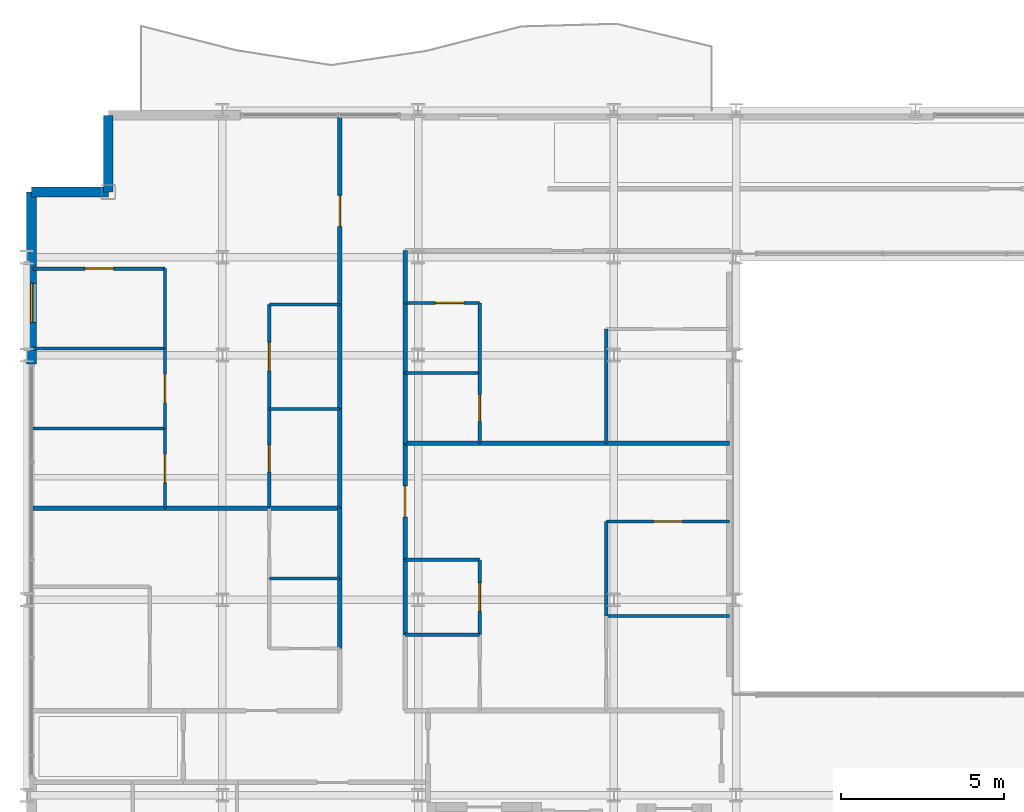
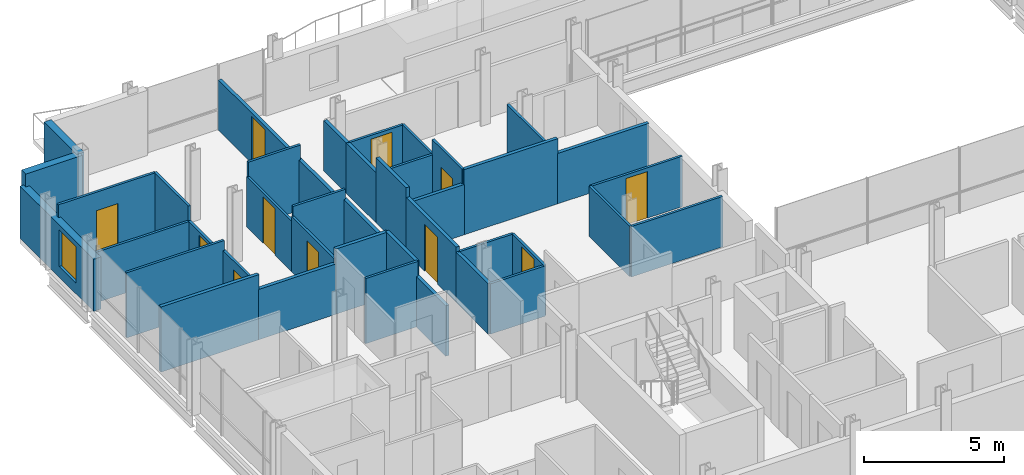
# One storey, part 33 of 40: 41 walls, 11 doors, 1 window, 12 openings.
"""IFC4 building model written with IfcOpenShell, lengths in metres."""

import ifcopenshell
import ifcopenshell.guid

model = None  # the IFC model being written
_history = None  # IfcOwnerHistory: only IFC2X3 demands one
_inside = {}  # id of a spatial element -> (the spatial element, [elements in it])
_under = {}  # id of a project, library or spatial element -> (it, [spatial elements below it])
_declared = {}  # id of a project -> (the project, [libraries it declares])
_typed = {}  # id of a type object -> (the type object, [elements of that type])
_made_of = {}  # id of a material, layer set ... -> (it, [elements and type objects made of it])


def new_model(schema):
    """Start an empty IFC model of exactly this schema.

    Asked for "IFC4X3", IfcOpenShell would pick the latest addendum, in which some entities
    have other attributes; the version numbers below select the first issue.
    IFC2X3 requires an IfcOwnerHistory on every rooted entity: one is made here for all.
    """
    global model, _history
    if schema == "IFC4X3":
        model = ifcopenshell.file(schema_version=(4, 3, 0, 0))
    else:
        model = ifcopenshell.file(schema=schema)
    _inside.clear()
    _under.clear()
    _declared.clear()
    _typed.clear()
    _made_of.clear()
    _history = None
    if model.schema == "IFC2X3":
        org = make("IfcOrganization", Name="unknown")
        user = make(
            "IfcPersonAndOrganization",
            ThePerson=make("IfcPerson", FamilyName="unknown"),
            TheOrganization=org,
        )
        app = make(
            "IfcApplication",
            ApplicationDeveloper=org,
            Version="unknown",
            ApplicationFullName="unknown",
            ApplicationIdentifier="unknown",
        )
        _history = make(
            "IfcOwnerHistory",
            OwningUser=user,
            OwningApplication=app,
            ChangeAction="ADDED",
            CreationDate=0,
        )
    return model


def make(cls, **values):
    """One entity of the class cls with the attributes given. An attribute that is None is left unset."""
    return model.create_entity(
        cls, **{name: value for name, value in values.items() if value is not None}
    )


def rooted(cls, **values):
    """An entity with a GlobalId (a new one), such as an element, a storey or a relation."""
    return make(cls, GlobalId=ifcopenshell.guid.new(), OwnerHistory=_history, **values)


def si_unit(unit_type, name, prefix=None):
    """IfcSIUnit, for example si_unit("LENGTHUNIT", "METRE", prefix="MILLI")."""
    return make("IfcSIUnit", UnitType=unit_type, Prefix=prefix, Name=name)


def assignment(units):
    """IfcUnitAssignment: the units of a project."""
    return None if units is None else make("IfcUnitAssignment", Units=units)


def point(xyz):
    """IfcCartesianPoint."""
    return None if xyz is None else make("IfcCartesianPoint", Coordinates=xyz)


def direction(xyz):
    """IfcDirection."""
    return None if xyz is None else make("IfcDirection", DirectionRatios=xyz)


def frame(location, z_axis=None, x_axis=None):
    """IfcAxis2Placement3D, a coordinate frame: its origin and axes. An axis left out is left unset."""
    return make(
        "IfcAxis2Placement3D",
        Location=point(location),
        Axis=direction(z_axis),
        RefDirection=direction(x_axis),
    )


def frame_2d(location, x_axis=None):
    """IfcAxis2Placement2D, a coordinate frame in the plane: its origin and x axis."""
    return make(
        "IfcAxis2Placement2D", Location=point(location), RefDirection=direction(x_axis)
    )


def origin():
    """The frame at (0, 0, 0) with its axes left unset."""
    return frame((0.0, 0.0, 0.0))


def place(relative_to, where):
    """IfcLocalPlacement: puts the frame where relative to a parent placement (None: the world)."""
    return make(
        "IfcLocalPlacement", PlacementRelTo=relative_to, RelativePlacement=where
    )


def context(
    kind, dimensions, precision=None, world=None, true_north=None, identifier=None
):
    """IfcGeometricRepresentationContext, for example the 3D "Model" context."""
    return make(
        "IfcGeometricRepresentationContext",
        ContextIdentifier=identifier,
        ContextType=kind,
        CoordinateSpaceDimension=dimensions,
        Precision=precision,
        WorldCoordinateSystem=world,
        TrueNorth=true_north,
    )


def subcontext(parent, identifier, kind, view, scale=None):
    """IfcGeometricRepresentationSubContext, for example "Body" below "Model"."""
    return make(
        "IfcGeometricRepresentationSubContext",
        ContextIdentifier=identifier,
        ContextType=kind,
        ParentContext=parent,
        TargetScale=scale,
        TargetView=view,
    )


def project(units=None, contexts=None):
    """IfcProject with its units and contexts."""
    return rooted(
        "IfcProject",
        Name="project",
        RepresentationContexts=contexts,
        UnitsInContext=assignment(units),
    )


def spatial(cls, under=None, at=None, **own):
    """A site, building, storey or space (cls), placed at a placement, below another one or the project."""
    s = rooted(cls, ObjectPlacement=at, **own)
    if under is not None:
        _under.setdefault(under.id(), (under, []))[1].append(s)
    return s


def profile(cls, at=None, kind="AREA", **sizes):
    """A parametric profile (cls). Its sizes go by their IFC names, for example OverallWidth=200.0."""
    return make(cls, ProfileType=kind, Position=at, **sizes)


def rectangle(**sizes):
    """IfcRectangleProfileDef."""
    return profile("IfcRectangleProfileDef", **sizes)


def extrude(swept, where, along, depth):
    """IfcExtrudedAreaSolid: the profile swept, set in the frame where, extruded along a direction by depth."""
    return make(
        "IfcExtrudedAreaSolid",
        SweptArea=swept,
        Position=where,
        ExtrudedDirection=direction(along),
        Depth=depth,
    )


def shape(context_of_items, identifier, shape_type, items):
    """IfcShapeRepresentation: the items that make up one representation, for example the "Body"."""
    return make(
        "IfcShapeRepresentation",
        ContextOfItems=context_of_items,
        RepresentationIdentifier=identifier,
        RepresentationType=shape_type,
        Items=items,
    )


def material(Name=None, Category=None):
    """IfcMaterial."""
    return make("IfcMaterial", Name=Name, Category=Category)


def layer(
    of_material, thickness, ventilated=None, Name=None, Category=None, Priority=None
):
    """IfcMaterialLayer: one layer of a wall or slab, of a material (None: an air gap)."""
    return make(
        "IfcMaterialLayer",
        Material=of_material,
        LayerThickness=thickness,
        IsVentilated=ventilated,
        Name=Name,
        Category=Category,
        Priority=Priority,
    )


def layer_set(layers, Name=None):
    """IfcMaterialLayerSet."""
    return make("IfcMaterialLayerSet", MaterialLayers=layers, LayerSetName=Name)


def made_of(thing, what):
    """Note that an element or type object is made of a material, layer set ...; save() writes the relation."""
    if what is not None:
        _made_of.setdefault(what.id(), (what, []))[1].append(thing)
    return thing


def type_object(cls, material=None, **own):
    """A type object (cls), such as IfcWallType, which elements share."""
    return made_of(rooted(cls, **own), material)


def element(
    cls,
    number,
    at=None,
    inside=None,
    cuts=None,
    type_object=None,
    material=None,
    context=None,
    identifier="Body",
    shape_type=None,
    held_by="IfcProductDefinitionShape",
    body=None,
    shapes=None,
    **own,
):
    """One element of the class cls, such as IfcWall. Its Tag is "e" and its number.

    at: its placement. inside: the storey or other place that contains it. cuts: it is an
    opening in that element (IfcRelVoidsElement). A single representation is given by context,
    identifier, shape_type and body (its items); several are given by shapes. held_by: the class
    of the entity that holds the representations. save() writes the other relations.
    """
    e = rooted(cls, Tag="e%d" % number, ObjectPlacement=at, **own)
    if body is not None:
        shapes = [shape(context, identifier, shape_type, body)]
    if shapes is not None:
        e.Representation = make(held_by, Representations=shapes)
    if inside is not None:
        _inside.setdefault(inside.id(), (inside, []))[1].append(e)
    if cuts is not None:
        rooted(
            "IfcRelVoidsElement", RelatingBuildingElement=cuts, RelatedOpeningElement=e
        )
    if type_object is not None:
        _typed.setdefault(type_object.id(), (type_object, []))[1].append(e)
    return made_of(e, material)


def fill(opening, filler):
    """IfcRelFillsElement: the door or window that sits in an opening."""
    return rooted(
        "IfcRelFillsElement",
        RelatingOpeningElement=opening,
        RelatedBuildingElement=filler,
    )


def aggregate(whole, parts):
    """IfcRelAggregates: a whole, such as a stair, and the parts it consists of."""
    return rooted("IfcRelAggregates", RelatingObject=whole, RelatedObjects=parts)


def save(model, path):
    """Write the relations noted so far, then the file.

    IfcRelAggregates (storeys below a building ...), IfcRelContainedInSpatialStructure (elements
    in a storey), IfcRelDefinesByType, IfcRelAssociatesMaterial and IfcRelDeclares: one each for
    every whole, place, type object, material and project.
    """
    for whole, parts in _under.values():
        aggregate(whole, parts)
    for where, things in _inside.values():
        rooted(
            "IfcRelContainedInSpatialStructure",
            RelatedElements=things,
            RelatingStructure=where,
        )
    for kind, things in _typed.values():
        rooted("IfcRelDefinesByType", RelatedObjects=things, RelatingType=kind)
    for what, things in _made_of.values():
        rooted("IfcRelAssociatesMaterial", RelatedObjects=things, RelatingMaterial=what)
    for by, libraries in _declared.values():
        rooted("IfcRelDeclares", RelatingContext=by, RelatedDefinitions=libraries)
    model.write(path)


model = new_model("IFC4")

# Units and contexts
model_context = context("Model", 3, precision=1e-05, world=origin(), true_north=direction((0.0, 1.0)))
body_context = subcontext(model_context, "Body", "Model", "MODEL_VIEW")
ifc_project = project(units=[si_unit("LENGTHUNIT", "METRE"), si_unit("AREAUNIT", "SQUARE_METRE"), si_unit("VOLUMEUNIT", "CUBIC_METRE"), si_unit("PLANEANGLEUNIT", "RADIAN"), si_unit("MASSUNIT", "GRAM", prefix="KILO")], contexts=[model_context])

# Site, building, storey
site_placement = place(None, origin())
site = spatial("IfcSite", under=ifc_project, at=site_placement, CompositionType="ELEMENT")
building_placement = place(site_placement, origin())
building = spatial("IfcBuilding", under=site, at=building_placement, Name="Brevholm Reach", CompositionType="ELEMENT")
storey_placement = place(building_placement, frame((0.0, 0.0, 131.39990234375)))
storey = spatial("IfcBuildingStorey", under=building, at=storey_placement, Name="L39", CompositionType="ELEMENT", Elevation=131.39990234375)

# Walls
ifc_material_1 = material(Name="Concrete C40/50", Category="concrete")
ifc_layer_1 = layer(ifc_material_1, 0.300048828125)
ifc_layer_set_1 = layer_set([ifc_layer_1], Name="Concrete C40/50")
wall_type_1 = type_object("IfcWallType", Name="WAL-EXT-300", PredefinedType="STANDARD", material=ifc_layer_set_1)
for number, where, z_axis, x_axis, name in (
    (1, (2.5, 30.85009765625, 0.0), (0.0, 0.0, 1.0), (0.0, -1.0, 0.0), "L39 Facade Wall WAL-L39-CNW1"),
    (2, (2.5, 28.5, 0.0), (0.0, 0.0, 1.0), (-1.0, 0.0, 0.0), "L39 Facade Wall WAL-L39-CNW2"),
):
    element("IfcWall", number, at=place(storey_placement, frame(where, z_axis=z_axis, x_axis=x_axis)), inside=storey, type_object=wall_type_1, Name=name, PredefinedType="STANDARD", context=body_context, shape_type="SweptSolid", body=[
        extrude(rectangle(XDim=2.35009765625, YDim=0.300048828125, at=frame_2d((1.175048828125, 0.0))), origin(), (0.0, 0.0, 1.0), 2.85009765625),
    ])

# Wall, opening, window
wall_1_placement = place(storey_placement, frame((0.14990234375, 28.5, 0.0), z_axis=(0.0, 0.0, 1.0), x_axis=(0.0, -1.0, 0.0)))
wall_1 = element("IfcWall", 3, at=wall_1_placement, inside=storey, type_object=wall_type_1, Name="L39 Facade Wall WAL-L39-W-N", PredefinedType="STANDARD", context=body_context, shape_type="SweptSolid", body=[
    extrude(rectangle(XDim=5.280029296875, YDim=0.300048828125, at=frame_2d((2.64013671875, 0.0))), origin(), (0.0, 0.0, 1.0), 2.28564453125),
])
opening_1_placement = place(wall_1_placement, frame((2.800048828125, 0.0, 0.465087890625)))
opening_1 = element("IfcOpeningElement", 4, at=opening_1_placement, cuts=wall_1, Name="Opening WN-08", PredefinedType="OPENING", context=body_context, shape_type="SweptSolid", body=[
    extrude(rectangle(XDim=1.199951171875, YDim=1.60009765625, at=frame_2d((0.60009765625, 0.800048828125))), frame((0.0, 0.159912109375, 0.0), z_axis=(0.0, -1.0, 0.0), x_axis=(1.0, 0.0, 0.0)), (0.0, 0.0, 1.0), 0.320068359375),
])
ifc_material_2 = material(Name="Dark Anodised Aluminium and Solar-Control IGU Glass", Category="aluminium")
window_type = type_object("IfcWindowType", Name="WIN-RES-1200", PartitioningType="SINGLE_PANEL", PredefinedType="WINDOW", material=ifc_material_2)
window_placement = place(opening_1_placement, origin())
window = element("IfcWindow", 5, at=window_placement, inside=storey, type_object=window_type, Name="L39 Window WIN-L39-WN-1", OverallHeight=1.60009765625, OverallWidth=1.199951171875, PartitioningType="SINGLE_PANEL", PredefinedType="WINDOW", context=body_context, shape_type="SweptSolid", body=[
    extrude(rectangle(XDim=1.199951171875, YDim=1.60009765625, at=frame_2d((0.60009765625, 0.800048828125))), frame((0.0, 0.030029296875, 0.0), z_axis=(0.0, -1.0, 0.0), x_axis=(1.0, 0.0, 0.0)), (0.0, 0.0, 1.0), 0.06005859375),
])
fill(opening_1, window)

# Walls
ifc_material_3 = material(Name="Moisture-Resistant Acoustic Gypsum Stud Partition 100 mm", Category="gypsum")
ifc_layer_2 = layer(ifc_material_3, 0.10009765625)
ifc_layer_set_2 = layer_set([ifc_layer_2], Name="Moisture-Resistant Acoustic Gypsum Stud Partition 100 mm")
wall_type_2 = type_object("IfcWallType", Name="WAL-PRT-100", PredefinedType="PARTITIONING", material=ifc_layer_set_2)
for number, where, z_axis, x_axis, name in (
    (6, (7.43798828125, 16.64990234375, 0.0), (0.0, 0.0, 1.0), (1.0, 0.0, 0.0), "L39 Internal Partition 088"),
    (7, (7.43798828125, 21.85009765625, 0.0), (0.0, 0.0, 1.0), (1.0, 0.0, 0.0), "L39 Internal Partition 097"),
):
    element("IfcWall", number, at=place(storey_placement, frame(where, z_axis=z_axis, x_axis=x_axis)), inside=storey, type_object=wall_type_2, Name=name, PredefinedType="PARTITIONING", context=body_context, shape_type="SweptSolid", body=[
        extrude(rectangle(XDim=2.157958984375, YDim=0.10009765625, at=frame_2d((1.0791015625, 0.0))), origin(), (0.0, 0.0, 1.0), 2.85009765625),
    ])

# Wall, opening, door
wall_2_placement = place(storey_placement, frame((7.43798828125, 18.803955078125, 0.0), z_axis=(0.0, 0.0, 1.0), x_axis=(0.0, 1.0, 0.0)))
wall_2 = element("IfcWall", 8, at=wall_2_placement, inside=storey, type_object=wall_type_2, Name="L39 Internal Partition 098", PredefinedType="PARTITIONING", context=body_context, shape_type="SweptSolid", body=[
    extrude(rectangle(XDim=3.046142578125, YDim=0.10009765625, at=frame_2d((1.52294921875, 0.0))), origin(), (0.0, 0.0, 1.0), 2.418701171875),
])
opening_2_placement = place(wall_2_placement, frame((1.113037109375, 0.0, 0.0)))
opening_2 = element("IfcOpeningElement", 9, at=opening_2_placement, cuts=wall_2, Name="Opening ID-03", PredefinedType="OPENING", context=body_context, shape_type="SweptSolid", body=[
    extrude(rectangle(XDim=0.820068359375, YDim=2.02001953125, at=frame_2d((0.41015625, 1.010009765625))), frame((0.0, 0.06005859375, 0.0), z_axis=(0.0, -1.0, 0.0), x_axis=(1.0, 0.0, 0.0)), (0.0, 0.0, 1.0), 0.1201171875),
])
ifc_material_4 = material(Name="Moisture-Resistant Painted Timber Internal Bathroom Door", Category="wood")
door_type_1 = type_object("IfcDoorType", Name="DOR-BATH-820", OperationType="NOTDEFINED", PredefinedType="DOOR", material=ifc_material_4)
door_1_placement = place(opening_2_placement, origin())
door_1 = element("IfcDoor", 10, at=door_1_placement, inside=storey, type_object=door_type_1, Name="L39 Internal Door 036", OperationType="SINGLE_SWING_LEFT", OverallHeight=2.02001953125, OverallWidth=0.820068359375, PredefinedType="DOOR", context=body_context, shape_type="SweptSolid", body=[
    extrude(rectangle(XDim=0.820068359375, YDim=2.02001953125, at=frame_2d((0.41015625, 1.010009765625))), frame((0.0, 0.02490234375, 0.0), z_axis=(0.0, -1.0, 0.0), x_axis=(1.0, 0.0, 0.0)), (0.0, 0.0, 1.0), 0.050048828125),
])
fill(opening_2, door_1)

# Wall
wall_3_placement = place(storey_placement, frame((7.43798828125, 25.050048828125, 0.0), z_axis=(0.0, 0.0, 1.0), x_axis=(1.0, 0.0, 0.0)))
element("IfcWall", 11, at=wall_3_placement, inside=storey, type_object=wall_type_2, Name="L39 Internal Partition 099", PredefinedType="PARTITIONING", context=body_context, shape_type="SweptSolid", body=[
    extrude(rectangle(XDim=2.157958984375, YDim=0.10009765625, at=frame_2d((1.0791015625, 0.0))), origin(), (0.0, 0.0, 1.0), 2.85009765625),
])

# Wall, opening, door
wall_4_placement = place(storey_placement, frame((7.43798828125, 21.85400390625, 0.0), z_axis=(0.0, 0.0, 1.0), x_axis=(0.0, 1.0, 0.0)))
wall_4 = element("IfcWall", 12, at=wall_4_placement, inside=storey, type_object=wall_type_2, Name="L39 Internal Partition 100", PredefinedType="PARTITIONING", context=body_context, shape_type="SweptSolid", body=[
    extrude(rectangle(XDim=3.196044921875, YDim=0.10009765625, at=frame_2d((1.59814453125, 0.0))), origin(), (0.0, 0.0, 1.0), 2.204833984375),
])
opening_3_placement = place(wall_4_placement, frame((1.157958984375, 0.0, 0.0)))
opening_3 = element("IfcOpeningElement", 13, at=opening_3_placement, cuts=wall_4, Name="Opening ID-01", PredefinedType="OPENING", context=body_context, shape_type="SweptSolid", body=[
    extrude(rectangle(XDim=0.8798828125, YDim=2.0400390625, at=frame_2d((0.43994140625, 1.02001953125))), frame((0.0, 0.06005859375, 0.0), z_axis=(0.0, -1.0, 0.0), x_axis=(1.0, 0.0, 0.0)), (0.0, 0.0, 1.0), 0.1201171875),
])
ifc_material_5 = material(Name="Lacquered Ash Solid-Core Acoustic Internal Door", Category="timber")
door_type_2 = type_object("IfcDoorType", Name="DOR-INT-880", OperationType="NOTDEFINED", PredefinedType="DOOR", material=ifc_material_5)
door_2_placement = place(opening_3_placement, origin())
door_2 = element("IfcDoor", 14, at=door_2_placement, inside=storey, type_object=door_type_2, Name="L39 Internal Door 037", OperationType="SINGLE_SWING_RIGHT", OverallHeight=2.0400390625, OverallWidth=0.8798828125, PredefinedType="DOOR", context=body_context, shape_type="SweptSolid", body=[
    extrude(rectangle(XDim=0.8798828125, YDim=2.0400390625, at=frame_2d((0.43994140625, 1.02001953125))), frame((0.0, 0.02490234375, 0.0), z_axis=(0.0, -1.0, 0.0), x_axis=(1.0, 0.0, 0.0)), (0.0, 0.0, 1.0), 0.050048828125),
])
fill(opening_3, door_2)

# Wall
wall_5_placement = place(storey_placement, frame((0.199951171875, 21.25, 0.0), z_axis=(0.0, 0.0, 1.0), x_axis=(1.0, 0.0, 0.0)))
element("IfcWall", 15, at=wall_5_placement, inside=storey, type_object=wall_type_2, Name="L39 Internal Partition 101", PredefinedType="PARTITIONING", context=body_context, shape_type="SweptSolid", body=[
    extrude(rectangle(XDim=4.0419921875, YDim=0.10009765625, at=frame_2d((2.02099609375, 0.0))), origin(), (0.0, 0.0, 1.0), 2.85009765625),
])

# Wall, opening, door
wall_6_placement = place(storey_placement, frame((4.241943359375, 18.803955078125, 0.0), z_axis=(0.0, 0.0, 1.0), x_axis=(0.0, 1.0, 0.0)))
wall_6 = element("IfcWall", 16, at=wall_6_placement, inside=storey, type_object=wall_type_2, Name="L39 Internal Partition 102", PredefinedType="PARTITIONING", context=body_context, shape_type="SweptSolid", body=[
    extrude(rectangle(XDim=2.446044921875, YDim=0.10009765625, at=frame_2d((1.22314453125, 0.0))), origin(), (0.0, 0.0, 1.0), 2.418701171875),
])
opening_4_placement = place(wall_6_placement, frame((0.782958984375, 0.0, 0.0)))
opening_4 = element("IfcOpeningElement", 17, at=opening_4_placement, cuts=wall_6, Name="Opening ID-01", PredefinedType="OPENING", context=body_context, shape_type="SweptSolid", body=[
    extrude(rectangle(XDim=0.8798828125, YDim=2.0400390625, at=frame_2d((0.43994140625, 1.02001953125))), frame((0.0, 0.06005859375, 0.0), z_axis=(0.0, -1.0, 0.0), x_axis=(1.0, 0.0, 0.0)), (0.0, 0.0, 1.0), 0.1201171875),
])
door_3_placement = place(opening_4_placement, origin())
door_3 = element("IfcDoor", 18, at=door_3_placement, inside=storey, type_object=door_type_2, Name="L39 Internal Door 038", OperationType="SINGLE_SWING_LEFT", OverallHeight=2.0400390625, OverallWidth=0.8798828125, PredefinedType="DOOR", context=body_context, shape_type="SweptSolid", body=[
    extrude(rectangle(XDim=0.8798828125, YDim=2.0400390625, at=frame_2d((0.43994140625, 1.02001953125))), frame((0.0, 0.02490234375, 0.0), z_axis=(0.0, -1.0, 0.0), x_axis=(1.0, 0.0, 0.0)), (0.0, 0.0, 1.0), 0.050048828125),
])
fill(opening_4, door_3)

# Wall
wall_7_placement = place(storey_placement, frame((0.199951171875, 23.699951171875, 0.0), z_axis=(0.0, 0.0, 1.0), x_axis=(1.0, 0.0, 0.0)))
element("IfcWall", 19, at=wall_7_placement, inside=storey, type_object=wall_type_2, Name="L39 Internal Partition 103", PredefinedType="PARTITIONING", context=body_context, shape_type="SweptSolid", body=[
    extrude(rectangle(XDim=4.0419921875, YDim=0.10009765625, at=frame_2d((2.02099609375, 0.0))), origin(), (0.0, 0.0, 1.0), 2.204833984375),
])

# Wall, opening, door
wall_8_placement = place(storey_placement, frame((4.241943359375, 21.25390625, 0.0), z_axis=(0.0, 0.0, 1.0), x_axis=(0.0, 1.0, 0.0)))
wall_8 = element("IfcWall", 20, at=wall_8_placement, inside=storey, type_object=wall_type_2, Name="L39 Internal Partition 104", PredefinedType="PARTITIONING", context=body_context, shape_type="SweptSolid", body=[
    extrude(rectangle(XDim=2.446044921875, YDim=0.10009765625, at=frame_2d((1.22314453125, 0.0))), origin(), (0.0, 0.0, 1.0), 2.204833984375),
])
opening_5_placement = place(wall_8_placement, frame((0.782958984375, 0.0, 0.0)))
opening_5 = element("IfcOpeningElement", 21, at=opening_5_placement, cuts=wall_8, Name="Opening ID-01", PredefinedType="OPENING", context=body_context, shape_type="SweptSolid", body=[
    extrude(rectangle(XDim=0.8798828125, YDim=2.0400390625, at=frame_2d((0.43994140625, 1.02001953125))), frame((0.0, 0.06005859375, 0.0), z_axis=(0.0, -1.0, 0.0), x_axis=(1.0, 0.0, 0.0)), (0.0, 0.0, 1.0), 0.1201171875),
])
door_4_placement = place(opening_5_placement, origin())
door_4 = element("IfcDoor", 22, at=door_4_placement, inside=storey, type_object=door_type_2, Name="L39 Internal Door 039", OperationType="SINGLE_SWING_RIGHT", OverallHeight=2.0400390625, OverallWidth=0.8798828125, PredefinedType="DOOR", context=body_context, shape_type="SweptSolid", body=[
    extrude(rectangle(XDim=0.8798828125, YDim=2.0400390625, at=frame_2d((0.43994140625, 1.02001953125))), frame((0.0, 0.02490234375, 0.0), z_axis=(0.0, -1.0, 0.0), x_axis=(1.0, 0.0, 0.0)), (0.0, 0.0, 1.0), 0.050048828125),
])
fill(opening_5, door_4)

# Wall
wall_9_placement = place(storey_placement, frame((4.241943359375, 23.7041015625, 0.0), z_axis=(0.0, 0.0, 1.0), x_axis=(0.0, 1.0, 0.0)))
element("IfcWall", 23, at=wall_9_placement, inside=storey, type_object=wall_type_2, Name="L39 Internal Partition 105", PredefinedType="PARTITIONING", context=body_context, shape_type="SweptSolid", body=[
    extrude(rectangle(XDim=2.44580078125, YDim=0.10009765625, at=frame_2d((1.222900390625, 0.0))), origin(), (0.0, 0.0, 1.0), 2.85009765625),
])

# Wall, opening, door
wall_10_placement = place(storey_placement, frame((0.199951171875, 26.14990234375, 0.0), z_axis=(0.0, 0.0, 1.0), x_axis=(1.0, 0.0, 0.0)))
wall_10 = element("IfcWall", 24, at=wall_10_placement, inside=storey, type_object=wall_type_2, Name="L39 Internal Partition 106", PredefinedType="PARTITIONING", context=body_context, shape_type="SweptSolid", body=[
    extrude(rectangle(XDim=4.0419921875, YDim=0.10009765625, at=frame_2d((2.02099609375, 0.0))), origin(), (0.0, 0.0, 1.0), 2.85009765625),
])
opening_6_placement = place(wall_10_placement, frame((1.5810546875, 0.0, 0.0)))
opening_6 = element("IfcOpeningElement", 25, at=opening_6_placement, cuts=wall_10, Name="Opening ID-01", PredefinedType="OPENING", context=body_context, shape_type="SweptSolid", body=[
    extrude(rectangle(XDim=0.8798828125, YDim=2.0400390625, at=frame_2d((0.43994140625, 1.02001953125))), frame((0.0, 0.06005859375, 0.0), z_axis=(0.0, -1.0, 0.0), x_axis=(1.0, 0.0, 0.0)), (0.0, 0.0, 1.0), 0.1201171875),
])
door_5_placement = place(opening_6_placement, origin())
door_5 = element("IfcDoor", 26, at=door_5_placement, inside=storey, type_object=door_type_2, Name="L39 Internal Door 040", OperationType="SINGLE_SWING_LEFT", OverallHeight=2.0400390625, OverallWidth=0.8798828125, PredefinedType="DOOR", context=body_context, shape_type="SweptSolid", body=[
    extrude(rectangle(XDim=0.8798828125, YDim=2.0400390625, at=frame_2d((0.43994140625, 1.02001953125))), frame((0.0, 0.02490234375, 0.0), z_axis=(0.0, -1.0, 0.0), x_axis=(1.0, 0.0, 0.0)), (0.0, 0.0, 1.0), 0.050048828125),
])
fill(opening_6, door_5)

# Wall
wall_11_placement = place(storey_placement, frame((11.60400390625, 14.927978515625, 0.0), z_axis=(0.0, 0.0, 1.0), x_axis=(1.0, 0.0, 0.0)))
element("IfcWall", 27, at=wall_11_placement, inside=storey, type_object=wall_type_2, Name="L39 Internal Partition 107", PredefinedType="PARTITIONING", context=body_context, shape_type="SweptSolid", body=[
    extrude(rectangle(XDim=2.284912109375, YDim=0.10009765625, at=frame_2d((1.142578125, 0.0))), origin(), (0.0, 0.0, 1.0), 2.204833984375),
])

# Wall, opening, door
wall_12_placement = place(storey_placement, frame((13.888916015625, 14.931884765625, 0.0), z_axis=(0.0, 0.0, 1.0), x_axis=(0.0, 1.0, 0.0)))
wall_12 = element("IfcWall", 28, at=wall_12_placement, inside=storey, type_object=wall_type_2, Name="L39 Internal Partition 109", PredefinedType="PARTITIONING", context=body_context, shape_type="SweptSolid", body=[
    extrude(rectangle(XDim=2.292236328125, YDim=0.10009765625, at=frame_2d((1.14599609375, 0.0))), origin(), (0.0, 0.0, 1.0), 2.204833984375),
])
opening_7_placement = place(wall_12_placement, frame((0.7060546875, 0.0, 0.0)))
opening_7 = element("IfcOpeningElement", 29, at=opening_7_placement, cuts=wall_12, Name="Opening ID-01", PredefinedType="OPENING", context=body_context, shape_type="SweptSolid", body=[
    extrude(rectangle(XDim=0.8798828125, YDim=2.0400390625, at=frame_2d((0.43994140625, 1.02001953125))), frame((0.0, 0.06005859375, 0.0), z_axis=(0.0, -1.0, 0.0), x_axis=(1.0, 0.0, 0.0)), (0.0, 0.0, 1.0), 0.1201171875),
])
door_6_placement = place(opening_7_placement, origin())
door_6 = element("IfcDoor", 30, at=door_6_placement, inside=storey, type_object=door_type_2, Name="L39 Internal Door 042", OperationType="SINGLE_SWING_LEFT", OverallHeight=2.0400390625, OverallWidth=0.8798828125, PredefinedType="DOOR", context=body_context, shape_type="SweptSolid", body=[
    extrude(rectangle(XDim=0.8798828125, YDim=2.0400390625, at=frame_2d((0.43994140625, 1.02001953125))), frame((0.0, 0.02490234375, 0.0), z_axis=(0.0, -1.0, 0.0), x_axis=(1.0, 0.0, 0.0)), (0.0, 0.0, 1.0), 0.050048828125),
])
fill(opening_7, door_6)

# Walls
wall_13_placement = place(storey_placement, frame((11.60400390625, 17.22412109375, 0.0), z_axis=(0.0, 0.0, 1.0), x_axis=(1.0, 0.0, 0.0)))
element("IfcWall", 31, at=wall_13_placement, inside=storey, type_object=wall_type_2, Name="L39 Internal Partition 110", PredefinedType="PARTITIONING", context=body_context, shape_type="SweptSolid", body=[
    extrude(rectangle(XDim=2.284912109375, YDim=0.10009765625, at=frame_2d((1.142578125, 0.0))), origin(), (0.0, 0.0, 1.0), 2.204833984375),
])
wall_14_placement = place(storey_placement, frame((17.76904296875, 15.5, 0.0), z_axis=(0.0, 0.0, 1.0), x_axis=(1.0, 0.0, 0.0)))
element("IfcWall", 32, at=wall_14_placement, inside=storey, type_object=wall_type_2, Name="L39 Internal Partition 111", PredefinedType="PARTITIONING", context=body_context, shape_type="SweptSolid", body=[
    extrude(rectangle(XDim=3.781005859375, YDim=0.10009765625, at=frame_2d((1.890625, 0.0))), origin(), (0.0, 0.0, 1.0), 2.204833984375),
])

# Wall, opening, door
wall_15_placement = place(storey_placement, frame((17.76904296875, 18.39990234375, 0.0), z_axis=(0.0, 0.0, 1.0), x_axis=(1.0, 0.0, 0.0)))
wall_15 = element("IfcWall", 33, at=wall_15_placement, inside=storey, type_object=wall_type_2, Name="L39 Internal Partition 113", PredefinedType="PARTITIONING", context=body_context, shape_type="SweptSolid", body=[
    extrude(rectangle(XDim=3.781005859375, YDim=0.10009765625, at=frame_2d((1.890625, 0.0))), origin(), (0.0, 0.0, 1.0), 2.204833984375),
])
opening_8_placement = place(wall_15_placement, frame((1.450439453125, 0.0, 0.0)))
opening_8 = element("IfcOpeningElement", 34, at=opening_8_placement, cuts=wall_15, Name="Opening ID-01", PredefinedType="OPENING", context=body_context, shape_type="SweptSolid", body=[
    extrude(rectangle(XDim=0.8798828125, YDim=2.0400390625, at=frame_2d((0.43994140625, 1.02001953125))), frame((0.0, 0.06005859375, 0.0), z_axis=(0.0, -1.0, 0.0), x_axis=(1.0, 0.0, 0.0)), (0.0, 0.0, 1.0), 0.1201171875),
])
door_7_placement = place(opening_8_placement, origin())
door_7 = element("IfcDoor", 35, at=door_7_placement, inside=storey, type_object=door_type_2, Name="L39 Internal Door 044", OperationType="SINGLE_SWING_LEFT", OverallHeight=2.0400390625, OverallWidth=0.8798828125, PredefinedType="DOOR", context=body_context, shape_type="SweptSolid", body=[
    extrude(rectangle(XDim=0.8798828125, YDim=2.0400390625, at=frame_2d((0.43994140625, 1.02001953125))), frame((0.0, 0.02490234375, 0.0), z_axis=(0.0, -1.0, 0.0), x_axis=(1.0, 0.0, 0.0)), (0.0, 0.0, 1.0), 0.050048828125),
])
fill(opening_8, door_7)

# Walls
wall_16_placement = place(storey_placement, frame((17.76904296875, 15.50390625, 0.0), z_axis=(0.0, 0.0, 1.0), x_axis=(0.0, 1.0, 0.0)))
element("IfcWall", 36, at=wall_16_placement, inside=storey, type_object=wall_type_2, Name="L39 Internal Partition 114", PredefinedType="PARTITIONING", context=body_context, shape_type="SweptSolid", body=[
    extrude(rectangle(XDim=2.89599609375, YDim=0.10009765625, at=frame_2d((1.447998046875, 0.0))), origin(), (0.0, 0.0, 1.0), 2.204833984375),
])
wall_17_placement = place(storey_placement, frame((11.60400390625, 22.949951171875, 0.0), z_axis=(0.0, 0.0, 1.0), x_axis=(1.0, 0.0, 0.0)))
element("IfcWall", 37, at=wall_17_placement, inside=storey, type_object=wall_type_2, Name="L39 Internal Partition 118", PredefinedType="PARTITIONING", context=body_context, shape_type="SweptSolid", body=[
    extrude(rectangle(XDim=2.284912109375, YDim=0.10009765625, at=frame_2d((1.142578125, 0.0))), origin(), (0.0, 0.0, 1.0), 2.204833984375),
])

# Wall, opening, door
wall_18_placement = place(storey_placement, frame((13.888916015625, 20.803955078125, 0.0), z_axis=(0.0, 0.0, 1.0), x_axis=(0.0, 1.0, 0.0)))
wall_18 = element("IfcWall", 38, at=wall_18_placement, inside=storey, type_object=wall_type_2, Name="L39 Internal Partition 119", PredefinedType="PARTITIONING", context=body_context, shape_type="SweptSolid", body=[
    extrude(rectangle(XDim=2.14599609375, YDim=0.10009765625, at=frame_2d((1.072998046875, 0.0))), origin(), (0.0, 0.0, 1.0), 2.85009765625),
])
opening_9_placement = place(wall_18_placement, frame((0.6630859375, 0.0, 0.0)))
opening_9 = element("IfcOpeningElement", 39, at=opening_9_placement, cuts=wall_18, Name="Opening ID-03", PredefinedType="OPENING", context=body_context, shape_type="SweptSolid", body=[
    extrude(rectangle(XDim=0.820068359375, YDim=2.02001953125, at=frame_2d((0.41015625, 1.010009765625))), frame((0.0, 0.06005859375, 0.0), z_axis=(0.0, -1.0, 0.0), x_axis=(1.0, 0.0, 0.0)), (0.0, 0.0, 1.0), 0.1201171875),
])
door_8_placement = place(opening_9_placement, origin())
door_8 = element("IfcDoor", 40, at=door_8_placement, inside=storey, type_object=door_type_1, Name="L39 Internal Door 045", OperationType="SINGLE_SWING_RIGHT", OverallHeight=2.02001953125, OverallWidth=0.820068359375, PredefinedType="DOOR", context=body_context, shape_type="SweptSolid", body=[
    extrude(rectangle(XDim=0.820068359375, YDim=2.02001953125, at=frame_2d((0.41015625, 1.010009765625))), frame((0.0, 0.02490234375, 0.0), z_axis=(0.0, -1.0, 0.0), x_axis=(1.0, 0.0, 0.0)), (0.0, 0.0, 1.0), 0.050048828125),
])
fill(opening_9, door_8)

# Wall
wall_19_placement = place(storey_placement, frame((13.888916015625, 22.9541015625, 0.0), z_axis=(0.0, 0.0, 1.0), x_axis=(0.0, 1.0, 0.0)))
element("IfcWall", 41, at=wall_19_placement, inside=storey, type_object=wall_type_2, Name="L39 Internal Partition 120", PredefinedType="PARTITIONING", context=body_context, shape_type="SweptSolid", body=[
    extrude(rectangle(XDim=2.14599609375, YDim=0.10009765625, at=frame_2d((1.072998046875, 0.0))), origin(), (0.0, 0.0, 1.0), 2.204833984375),
])

# Wall, opening, door
wall_20_placement = place(storey_placement, frame((11.60400390625, 25.10009765625, 0.0), z_axis=(0.0, 0.0, 1.0), x_axis=(1.0, 0.0, 0.0)))
wall_20 = element("IfcWall", 42, at=wall_20_placement, inside=storey, type_object=wall_type_2, Name="L39 Internal Partition 121", PredefinedType="PARTITIONING", context=body_context, shape_type="SweptSolid", body=[
    extrude(rectangle(XDim=2.284912109375, YDim=0.10009765625, at=frame_2d((1.142578125, 0.0))), origin(), (0.0, 0.0, 1.0), 2.204833984375),
])
opening_10_placement = place(wall_20_placement, frame((0.922607421875, 0.0, 0.0)))
opening_10 = element("IfcOpeningElement", 43, at=opening_10_placement, cuts=wall_20, Name="Opening ID-01", PredefinedType="OPENING", context=body_context, shape_type="SweptSolid", body=[
    extrude(rectangle(XDim=0.8798828125, YDim=2.0400390625, at=frame_2d((0.43994140625, 1.02001953125))), frame((0.0, 0.06005859375, 0.0), z_axis=(0.0, -1.0, 0.0), x_axis=(1.0, 0.0, 0.0)), (0.0, 0.0, 1.0), 0.1201171875),
])
door_9_placement = place(opening_10_placement, origin())
door_9 = element("IfcDoor", 44, at=door_9_placement, inside=storey, type_object=door_type_2, Name="L39 Internal Door 046", OperationType="SINGLE_SWING_LEFT", OverallHeight=2.0400390625, OverallWidth=0.8798828125, PredefinedType="DOOR", context=body_context, shape_type="SweptSolid", body=[
    extrude(rectangle(XDim=0.8798828125, YDim=2.0400390625, at=frame_2d((0.43994140625, 1.02001953125))), frame((0.0, 0.02490234375, 0.0), z_axis=(0.0, -1.0, 0.0), x_axis=(1.0, 0.0, 0.0)), (0.0, 0.0, 1.0), 0.050048828125),
])
fill(opening_10, door_9)

# Walls
wall_21_placement = place(storey_placement, frame((17.76904296875, 20.803955078125, 0.0), z_axis=(0.0, 0.0, 1.0), x_axis=(0.0, 1.0, 0.0)))
element("IfcWall", 45, at=wall_21_placement, inside=storey, type_object=wall_type_2, Name="L39 Internal Partition 123", PredefinedType="PARTITIONING", context=body_context, shape_type="SweptSolid", body=[
    extrude(rectangle(XDim=3.49609375, YDim=0.10009765625, at=frame_2d((1.748046875, 0.0))), origin(), (0.0, 0.0, 1.0), 2.204833984375),
])
ifc_material_6 = material(Name="Twin-Stud Acoustic Fire-Rated Gypsum Partition 140 mm", Category="gypsum")
ifc_layer_3 = layer(ifc_material_6, 0.139892578125)
ifc_layer_set_3 = layer_set([ifc_layer_3], Name="Twin-Stud Acoustic Fire-Rated Gypsum Partition 140 mm")
wall_type_3 = type_object("IfcWallType", Name="WAL-PRT-140", PredefinedType="PARTITIONING", material=ifc_layer_set_3)
wall_22_placement = place(storey_placement, frame((9.60009765625, 16.638671875, 0.0), z_axis=(0.0, 0.0, 1.0), x_axis=(0.0, 1.0, 0.0)))
element("IfcWall", 46, at=wall_22_placement, inside=storey, type_object=wall_type_3, Name="L39 Internal Partition 035", PredefinedType="PARTITIONING", context=body_context, shape_type="SweptSolid", body=[
    extrude(rectangle(XDim=2.172607421875, YDim=0.139892578125, at=frame_2d((1.08642578125, 0.0))), origin(), (0.0, 0.0, 1.0), 2.85009765625),
])
wall_23_placement = place(storey_placement, frame((9.60009765625, 14.48876953125, 0.0), z_axis=(0.0, 0.0, 1.0), x_axis=(0.0, 1.0, 0.0)))
element("IfcWall", 47, at=wall_23_placement, inside=storey, type_object=wall_type_3, Name="L39 Internal Partition 036", PredefinedType="PARTITIONING", context=body_context, shape_type="SweptSolid", body=[
    extrude(rectangle(XDim=2.16845703125, YDim=0.139892578125, at=frame_2d((1.084228515625, 0.0))), origin(), (0.0, 0.0, 1.0), 2.204833984375),
])
wall_24_placement = place(storey_placement, frame((9.60009765625, 18.792724609375, 0.0), z_axis=(0.0, 0.0, 1.0), x_axis=(0.0, 1.0, 0.0)))
element("IfcWall", 48, at=wall_24_placement, inside=storey, type_object=wall_type_3, Name="L39 Internal Partition 038", PredefinedType="PARTITIONING", context=body_context, shape_type="SweptSolid", body=[
    extrude(rectangle(XDim=3.068603515625, YDim=0.139892578125, at=frame_2d((1.5341796875, 0.0))), origin(), (0.0, 0.0, 1.0), 2.418701171875),
])
wall_25_placement = place(storey_placement, frame((9.60009765625, 21.8427734375, 0.0), z_axis=(0.0, 0.0, 1.0), x_axis=(0.0, 1.0, 0.0)))
element("IfcWall", 49, at=wall_25_placement, inside=storey, type_object=wall_type_3, Name="L39 Internal Partition 039", PredefinedType="PARTITIONING", context=body_context, shape_type="SweptSolid", body=[
    extrude(rectangle(XDim=3.218505859375, YDim=0.139892578125, at=frame_2d((1.609375, 0.0))), origin(), (0.0, 0.0, 1.0), 2.204833984375),
])

# Wall, opening, door
wall_26_placement = place(storey_placement, frame((9.60009765625, 25.042724609375, 0.0), z_axis=(0.0, 0.0, 1.0), x_axis=(0.0, 1.0, 0.0)))
wall_26 = element("IfcWall", 50, at=wall_26_placement, inside=storey, type_object=wall_type_3, Name="L39 Internal Partition 040", PredefinedType="PARTITIONING", context=body_context, shape_type="SweptSolid", body=[
    extrude(rectangle(XDim=5.75732421875, YDim=0.139892578125, at=frame_2d((2.878662109375, 0.0))), origin(), (0.0, 0.0, 1.0), 2.204833984375),
])
opening_11_placement = place(wall_26_placement, frame((2.40380859375, 0.0, 0.0)))
opening_11 = element("IfcOpeningElement", 51, at=opening_11_placement, cuts=wall_26, Name="Opening ID-30", PredefinedType="OPENING", context=body_context, shape_type="SweptSolid", body=[
    extrude(rectangle(XDim=0.949951171875, YDim=2.050048828125, at=frame_2d((0.47509765625, 1.02490234375))), frame((0.0, 0.079833984375, 0.0), z_axis=(0.0, -1.0, 0.0), x_axis=(1.0, 0.0, 0.0)), (0.0, 0.0, 1.0), 0.159912109375),
])
ifc_material_7 = material(Name="European Oak Veneered Solid-Core Fire Entrance Door", Category="timber")
door_type_3 = type_object("IfcDoorType", Name="DOR-FLT-FD30S", OperationType="NOTDEFINED", PredefinedType="DOOR", material=ifc_material_7)
door_10_placement = place(opening_11_placement, origin())
door_10 = element("IfcDoor", 52, at=door_10_placement, inside=storey, type_object=door_type_3, Name="L39 Internal Door 018", OperationType="SINGLE_SWING_LEFT", OverallHeight=2.050048828125, OverallWidth=0.949951171875, PredefinedType="DOOR", context=body_context, shape_type="SweptSolid", body=[
    extrude(rectangle(XDim=0.949951171875, YDim=2.050048828125, at=frame_2d((0.47509765625, 1.02490234375))), frame((0.0, 0.02490234375, 0.0), z_axis=(0.0, -1.0, 0.0), x_axis=(1.0, 0.0, 0.0)), (0.0, 0.0, 1.0), 0.050048828125),
])
fill(opening_11, door_10)

# Wall
wall_27_placement = place(storey_placement, frame((11.60009765625, 14.920654296875, 0.0), z_axis=(0.0, 0.0, 1.0), x_axis=(0.0, 1.0, 0.0)))
element("IfcWall", 53, at=wall_27_placement, inside=storey, type_object=wall_type_3, Name="L39 Internal Partition 042", PredefinedType="PARTITIONING", context=body_context, shape_type="SweptSolid", body=[
    extrude(rectangle(XDim=2.314697265625, YDim=0.139892578125, at=frame_2d((1.1572265625, 0.0))), origin(), (0.0, 0.0, 1.0), 2.204833984375),
])

# Wall, opening, door
wall_28_placement = place(storey_placement, frame((11.60009765625, 17.216796875, 0.0), z_axis=(0.0, 0.0, 1.0), x_axis=(0.0, 1.0, 0.0)))
wall_28 = element("IfcWall", 54, at=wall_28_placement, inside=storey, type_object=wall_type_3, Name="L39 Internal Partition 043", PredefinedType="PARTITIONING", context=body_context, shape_type="SweptSolid", body=[
    extrude(rectangle(XDim=3.594482421875, YDim=0.139892578125, at=frame_2d((1.79736328125, 0.0))), origin(), (0.0, 0.0, 1.0), 2.418701171875),
])
opening_12_placement = place(wall_28_placement, frame((1.322265625, 0.0, 0.0)))
opening_12 = element("IfcOpeningElement", 55, at=opening_12_placement, cuts=wall_28, Name="Opening ID-30", PredefinedType="OPENING", context=body_context, shape_type="SweptSolid", body=[
    extrude(rectangle(XDim=0.949951171875, YDim=2.050048828125, at=frame_2d((0.47509765625, 1.02490234375))), frame((0.0, 0.079833984375, 0.0), z_axis=(0.0, -1.0, 0.0), x_axis=(1.0, 0.0, 0.0)), (0.0, 0.0, 1.0), 0.159912109375),
])
door_11_placement = place(opening_12_placement, origin())
door_11 = element("IfcDoor", 56, at=door_11_placement, inside=storey, type_object=door_type_3, Name="L39 Internal Door 019", OperationType="SINGLE_SWING_RIGHT", OverallHeight=2.050048828125, OverallWidth=0.949951171875, PredefinedType="DOOR", context=body_context, shape_type="SweptSolid", body=[
    extrude(rectangle(XDim=0.949951171875, YDim=2.050048828125, at=frame_2d((0.47509765625, 1.02490234375))), frame((0.0, 0.02490234375, 0.0), z_axis=(0.0, -1.0, 0.0), x_axis=(1.0, 0.0, 0.0)), (0.0, 0.0, 1.0), 0.050048828125),
])
fill(opening_12, door_11)

# Walls
wall_29_placement = place(storey_placement, frame((11.60009765625, 20.792724609375, 0.0), z_axis=(0.0, 0.0, 1.0), x_axis=(0.0, 1.0, 0.0)))
element("IfcWall", 57, at=wall_29_placement, inside=storey, type_object=wall_type_3, Name="L39 Internal Partition 044", PredefinedType="PARTITIONING", context=body_context, shape_type="SweptSolid", body=[
    extrude(rectangle(XDim=2.16845703125, YDim=0.139892578125, at=frame_2d((1.084228515625, 0.0))), origin(), (0.0, 0.0, 1.0), 2.85009765625),
])
wall_30_placement = place(storey_placement, frame((11.60009765625, 22.942626953125, 0.0), z_axis=(0.0, 0.0, 1.0), x_axis=(0.0, 1.0, 0.0)))
element("IfcWall", 58, at=wall_30_placement, inside=storey, type_object=wall_type_3, Name="L39 Internal Partition 045", PredefinedType="PARTITIONING", context=body_context, shape_type="SweptSolid", body=[
    extrude(rectangle(XDim=2.168701171875, YDim=0.139892578125, at=frame_2d((1.08447265625, 0.0))), origin(), (0.0, 0.0, 1.0), 2.204833984375),
])
wall_31_placement = place(storey_placement, frame((11.60009765625, 25.0927734375, 0.0), z_axis=(0.0, 0.0, 1.0), x_axis=(0.0, 1.0, 0.0)))
element("IfcWall", 59, at=wall_31_placement, inside=storey, type_object=wall_type_3, Name="L39 Internal Partition 046", PredefinedType="PARTITIONING", context=body_context, shape_type="SweptSolid", body=[
    extrude(rectangle(XDim=1.614501953125, YDim=0.139892578125, at=frame_2d((0.80712890625, 0.0))), origin(), (0.0, 0.0, 1.0), 2.204833984375),
])
wall_32_placement = place(storey_placement, frame((7.43798828125, 18.800048828125, 0.0), z_axis=(0.0, 0.0, 1.0), x_axis=(1.0, 0.0, 0.0)))
element("IfcWall", 60, at=wall_32_placement, inside=storey, type_object=wall_type_3, Name="L39 Internal Partition 090", PredefinedType="PARTITIONING", context=body_context, shape_type="SweptSolid", body=[
    extrude(rectangle(XDim=2.157958984375, YDim=0.139892578125, at=frame_2d((1.0791015625, 0.0))), origin(), (0.0, 0.0, 1.0), 2.85009765625),
])
wall_33_placement = place(storey_placement, frame((0.199951171875, 18.800048828125, 0.0), z_axis=(0.0, 0.0, 1.0), x_axis=(1.0, 0.0, 0.0)))
element("IfcWall", 61, at=wall_33_placement, inside=storey, type_object=wall_type_3, Name="L39 Internal Partition 095", PredefinedType="PARTITIONING", context=body_context, shape_type="SweptSolid", body=[
    extrude(rectangle(XDim=4.053466796875, YDim=0.139892578125, at=frame_2d((2.02685546875, 0.0))), origin(), (0.0, 0.0, 1.0), 2.85009765625),
])
wall_34_placement = place(storey_placement, frame((4.234619140625, 18.800048828125, 0.0), z_axis=(0.0, 0.0, 1.0), x_axis=(1.0, 0.0, 0.0)))
element("IfcWall", 62, at=wall_34_placement, inside=storey, type_object=wall_type_3, Name="L39 Internal Partition 096", PredefinedType="PARTITIONING", context=body_context, shape_type="SweptSolid", body=[
    extrude(rectangle(XDim=3.199462890625, YDim=0.139892578125, at=frame_2d((1.599609375, 0.0))), origin(), (0.0, 0.0, 1.0), 2.204833984375),
])
wall_35_placement = place(storey_placement, frame((11.60400390625, 20.800048828125, 0.0), z_axis=(0.0, 0.0, 1.0), x_axis=(1.0, 0.0, 0.0)))
element("IfcWall", 63, at=wall_35_placement, inside=storey, type_object=wall_type_3, Name="L39 Internal Partition 115", PredefinedType="PARTITIONING", context=body_context, shape_type="SweptSolid", body=[
    extrude(rectangle(XDim=2.29638671875, YDim=0.139892578125, at=frame_2d((1.148193359375, 0.0))), origin(), (0.0, 0.0, 1.0), 2.204833984375),
])
wall_36_placement = place(storey_placement, frame((17.7578125, 20.800048828125, 0.0), z_axis=(0.0, 0.0, 1.0), x_axis=(1.0, 0.0, 0.0)))
element("IfcWall", 64, at=wall_36_placement, inside=storey, type_object=wall_type_3, Name="L39 Internal Partition 116", PredefinedType="PARTITIONING", context=body_context, shape_type="SweptSolid", body=[
    extrude(rectangle(XDim=3.792236328125, YDim=0.139892578125, at=frame_2d((1.89599609375, 0.0))), origin(), (0.0, 0.0, 1.0), 2.204833984375),
])
wall_37_placement = place(storey_placement, frame((13.881591796875, 20.800048828125, 0.0), z_axis=(0.0, 0.0, 1.0), x_axis=(1.0, 0.0, 0.0)))
element("IfcWall", 65, at=wall_37_placement, inside=storey, type_object=wall_type_3, Name="L39 Internal Partition 117", PredefinedType="PARTITIONING", context=body_context, shape_type="SweptSolid", body=[
    extrude(rectangle(XDim=3.894775390625, YDim=0.139892578125, at=frame_2d((1.947265625, 0.0))), origin(), (0.0, 0.0, 1.0), 2.85009765625),
])

save(model, "model.ifc")
